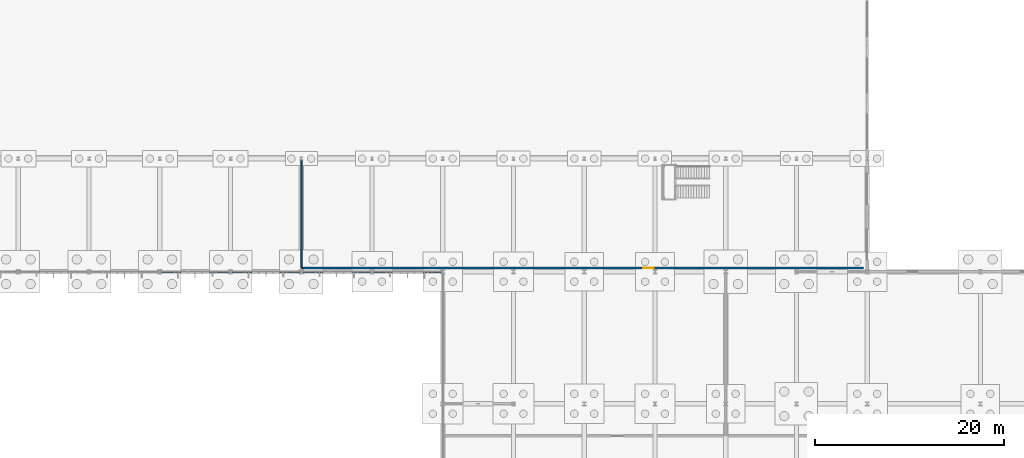
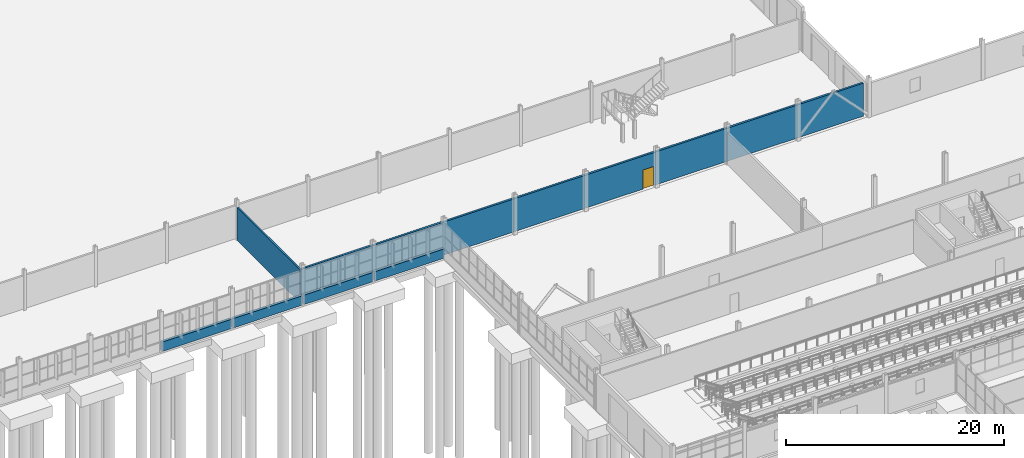
# One storey, part 112 of 136: 6 walls, 1 door, 1 opening.
"""IFC4 building model written with IfcOpenShell, lengths in metres."""

from ifc_helpers import new_model, si_unit, direction, frame, frame_2d, origin, place, context, subcontext, project, spatial, rectangle, extrude, material, layer, layer_set, type_object, element, fill, save


model = new_model("IFC4")

# Units and contexts
model_context = context("Model", 3, precision=1e-05, world=origin(), true_north=direction((0.0, 1.0)))
body_context = subcontext(model_context, "Body", "Model", "MODEL_VIEW")
ifc_project = project(units=[si_unit("LENGTHUNIT", "METRE"), si_unit("AREAUNIT", "SQUARE_METRE"), si_unit("VOLUMEUNIT", "CUBIC_METRE"), si_unit("PLANEANGLEUNIT", "RADIAN"), si_unit("MASSUNIT", "GRAM", prefix="KILO")], contexts=[model_context])

# Site, building, storey
site_placement = place(None, origin())
site = spatial("IfcSite", under=ifc_project, at=site_placement, CompositionType="ELEMENT")
building_placement = place(site_placement, origin())
building = spatial("IfcBuilding", under=site, at=building_placement, Name="Solvenia Promenade Tram Depot", CompositionType="ELEMENT")
storey_placement = place(building_placement, origin())
storey = spatial("IfcBuildingStorey", under=building, at=storey_placement, Name="L00", CompositionType="ELEMENT", Elevation=0.0)

# Wall, opening, door
ifc_material_1 = material(Name="Concrete blockwork masonry", Category="masonry")
ifc_layer_1 = layer(ifc_material_1, 0.215087890625, Name="Concrete blockwork masonry", Category="masonry")
ifc_layer_set_1 = layer_set([ifc_layer_1], Name="Concrete blockwork masonry")
wall_type_1 = type_object("IfcWallType", Name="Wall-Fire-215", PredefinedType="PARTITIONING", material=ifc_layer_set_1)
wall_1_placement = place(storey_placement, frame((90.0, 66.39990234375, 0.0), z_axis=(0.0, 0.0, 1.0), x_axis=(1.0, 0.0, 0.0)))
wall_1 = element("IfcWall", 1, at=wall_1_placement, inside=storey, type_object=wall_type_1, Name="Track Tool and Sand Dispensing Store Partition WP-L00-003", PredefinedType="PARTITIONING", context=body_context, shape_type="SweptSolid", body=[
    extrude(rectangle(XDim=59.60009765625, YDim=0.215087890625, at=frame_2d((29.800048828125, 0.0))), origin(), (0.0, 0.0, 1.0), 3.699951171875),
])
opening_placement = place(wall_1_placement, frame((36.239013671875, 0.0, 0.0)))
opening = element("IfcOpeningElement", 2, at=opening_placement, cuts=wall_1, Name="Opening D-FD60", PredefinedType="OPENING", context=body_context, shape_type="SweptSolid", body=[
    extrude(rectangle(XDim=1.14990234375, YDim=2.14990234375, at=frame_2d((0.574951171875, 1.074951171875))), frame((0.0, 0.117431640625, 0.0), z_axis=(0.0, -1.0, 0.0), x_axis=(1.0, 0.0, 0.0)), (0.0, 0.0, 1.0), 0.235107421875),
])
ifc_material_2 = material(Name="Galvanized painted sheet steel", Category="steel")
door_type = type_object("IfcDoorType", Name="Door-Fire-FD60", OperationType="NOTDEFINED", PredefinedType="DOOR", material=ifc_material_2)
door_placement = place(opening_placement, origin())
door = element("IfcDoor", 3, at=door_placement, inside=storey, type_object=door_type, Name="Door to Track Tool and Sand Dispensing Store", OperationType="SINGLE_SWING_RIGHT", OverallHeight=2.14990234375, OverallWidth=1.14990234375, PredefinedType="DOOR", context=body_context, shape_type="SweptSolid", body=[
    extrude(rectangle(XDim=1.14990234375, YDim=2.14990234375, at=frame_2d((0.574951171875, 1.074951171875))), frame((0.0, 0.02490234375, 0.0), z_axis=(0.0, -1.0, 0.0), x_axis=(1.0, 0.0, 0.0)), (0.0, 0.0, 1.0), 0.050048828125),
])
fill(opening, door)

# Walls
ifc_layer_2 = layer(ifc_material_1, 0.16796875, Name="Concrete blockwork masonry", Category="masonry")
ifc_layer_set_2 = layer_set([ifc_layer_2], Name="Concrete blockwork masonry")
wall_type_2 = type_object("IfcWallType", Name="Wall-Masonry-168", PredefinedType="PARTITIONING", material=ifc_layer_set_2)
wall_2_placement = place(storey_placement, frame((90.0, 66.39990234375, 0.0), z_axis=(0.0, 0.0, 1.0), x_axis=(0.0, 1.0, 0.0)))
element("IfcWall", 4, at=wall_2_placement, inside=storey, type_object=wall_type_2, Name="Electric Bus Charging Hall Dividing Wall WP-L00-002", PredefinedType="PARTITIONING", context=body_context, shape_type="SweptSolid", body=[
    extrude(rectangle(XDim=11.400146484375, YDim=0.16796875, at=frame_2d((5.7001953125, 0.0))), origin(), (0.0, 0.0, 1.0), 3.699951171875),
])
ifc_material_3 = material(Name="Concrete C35/45", Category="concrete")
ifc_layer_3 = layer(ifc_material_3, 0.300048828125, Name="Concrete C35/45", Category="concrete")
ifc_layer_set_3 = layer_set([ifc_layer_3], Name="Concrete C35/45")
wall_type_3 = type_object("IfcWallType", Name="Wall-Plinth-300", PredefinedType="SOLIDWALL", material=ifc_layer_set_3)
for number, where, z_axis, x_axis, name in (
    (5, (75.080078125, 66.0, 0.0), (0.0, 0.0, 1.0), (1.0, 0.0, 0.0), "Courtyard Thermal Plinth EW-L00-025"),
    (6, (82.580078125, 66.0, 0.0), (0.0, 0.0, 1.0), (1.0, 0.0, 0.0), "Courtyard Thermal Plinth EW-L00-026"),
    (7, (90.080078125, 66.0, 0.0), (0.0, 0.0, 1.0), (1.0, 0.0, 0.0), "Courtyard Thermal Plinth EW-L00-027"),
    (8, (97.580078125, 66.0, 0.0), (0.0, 0.0, 1.0), (1.0, 0.0, 0.0), "Courtyard Thermal Plinth EW-L00-028"),
):
    element("IfcWall", number, at=place(storey_placement, frame(where, z_axis=z_axis, x_axis=x_axis)), inside=storey, type_object=wall_type_3, Name=name, PredefinedType="SOLIDWALL", context=body_context, shape_type="SweptSolid", body=[
        extrude(rectangle(XDim=7.33984375, YDim=0.300048828125, at=frame_2d((3.669921875, 0.0))), origin(), (0.0, 0.0, 1.0), 1.050048828125),
    ])

save(model, "model.ifc")
